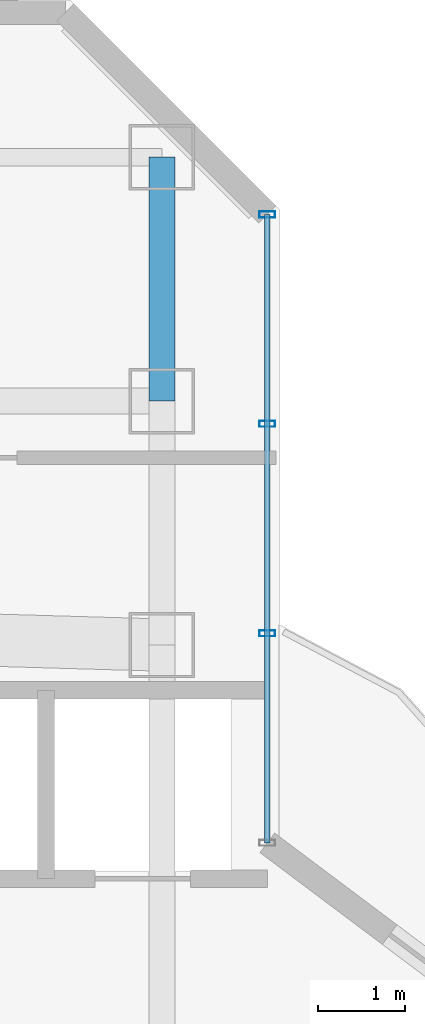
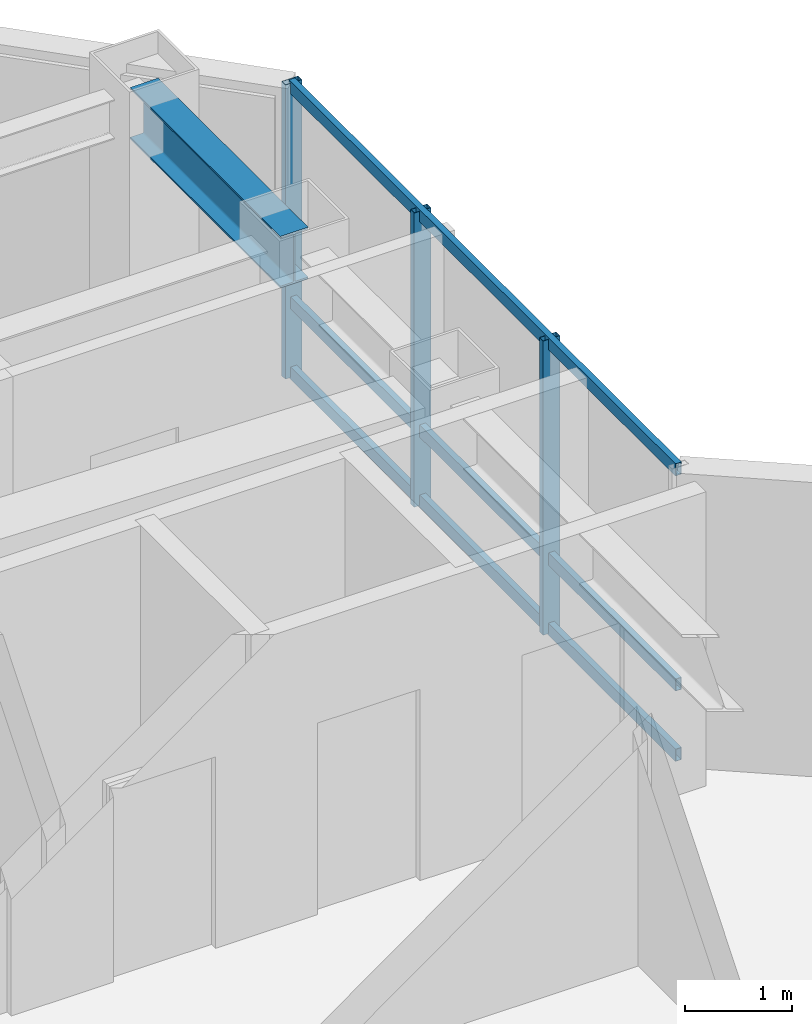
# One storey, part 17 of 26: 6 members, 1 beam, 1 element without a shape of its own.
"""IFC4 building model written with IfcOpenShell, lengths in metres."""

from ifc_helpers import new_model, si_unit, direction, frame, origin, origin_2d, place, context, subcontext, project, spatial, hollow_rectangle, i_section, extrude, material, layer, layer_set, material_profile, profile_set, type_object, element, aggregate, save


model = new_model("IFC4")

# Units and contexts
model_context = context("Model", 3, precision=1e-05, world=origin(), true_north=direction((0.0, 1.0)))
body_context = subcontext(model_context, "Body", "Model", "MODEL_VIEW")
ifc_project = project(units=[si_unit("LENGTHUNIT", "METRE"), si_unit("AREAUNIT", "SQUARE_METRE"), si_unit("VOLUMEUNIT", "CUBIC_METRE"), si_unit("PLANEANGLEUNIT", "RADIAN"), si_unit("MASSUNIT", "GRAM", prefix="KILO")], contexts=[model_context])

# Site, building, storey
site_placement = place(None, origin())
site = spatial("IfcSite", under=ifc_project, at=site_placement, CompositionType="ELEMENT")
building_placement = place(site_placement, origin())
building = spatial("IfcBuilding", under=site, at=building_placement, Name="Hatsunagi Terrace Concourse", CompositionType="ELEMENT")
storey_placement = place(building_placement, frame((0.0, 0.0, 209.550048828125)))
storey = spatial("IfcBuildingStorey", under=building, at=storey_placement, Name="L55", CompositionType="ELEMENT", Elevation=209.550048828125)

# Curtain wall, members
ifc_material_1 = material(Name="Anodised Aluminium Alloy 6063-T5", Category="aluminium")
ifc_layer = layer(ifc_material_1, 0.199951171875)
ifc_layer_set = layer_set([ifc_layer], Name="OfficeZone2_CW04")
curtain_wall_type = type_object("IfcCurtainWallType", Name="OfficeZone2_CW04", PredefinedType="NOTDEFINED", material=ifc_layer_set)
curtain_wall_placement = place(storey_placement, origin())
curtain_wall = element("IfcCurtainWall", 1, at=curtain_wall_placement, inside=storey, type_object=curtain_wall_type, Name="Unitised Curtain Wall CW-04 CW-L55-12", PredefinedType="NOTDEFINED")
ifc_material_2 = material(Name="Anodised Aluminium Alloy 6063-T5", Category="aluminium")
ifc_material_profile_1 = material_profile(ifc_material_2, hollow_rectangle(XDim=0.070068359375, YDim=0.179931640625, WallThickness=0.00390625, at=origin_2d()), Name="ALU-MUL-180x70x4")
ifc_profile_set_1 = profile_set([ifc_material_profile_1], Name="Anodised Aluminium Alloy 6063-T5")
member_type_1 = type_object("IfcMemberType", Name="CurtainWallMullion_180x70", PredefinedType="MULLION", material=ifc_profile_set_1)
member_1_placement = place(storey_placement, frame((44.860107421875, 47.94189453125, 0.0), z_axis=(0.0, 0.0, 1.0), x_axis=(0.0, -1.0, 0.0)))
member_1 = element("IfcMember", 2, at=member_1_placement, type_object=member_type_1, Name="Curtain Wall Mullion MUL-02", PredefinedType="MULLION", context=body_context, shape_type="SweptSolid", body=[
    extrude(hollow_rectangle(XDim=0.070068359375, YDim=0.179931640625, WallThickness=0.00390625, at=origin_2d()), origin(), (0.0, 0.0, 1.0), 3.349853515625),
])
member_2_placement = place(storey_placement, frame((44.860107421875, 45.5380859375, 0.0), z_axis=(0.0, 0.0, 1.0), x_axis=(0.0, -1.0, 0.0)))
member_2 = element("IfcMember", 3, at=member_2_placement, type_object=member_type_1, Name="Curtain Wall Mullion MUL-02", PredefinedType="MULLION", context=body_context, shape_type="SweptSolid", body=[
    extrude(hollow_rectangle(XDim=0.070068359375, YDim=0.179931640625, WallThickness=0.00390625, at=origin_2d()), origin(), (0.0, 0.0, 1.0), 3.349853515625),
])
member_3_placement = place(storey_placement, frame((44.860107421875, 43.134033203125, 0.0), z_axis=(0.0, 0.0, 1.0), x_axis=(0.0, -1.0, 0.0)))
member_3 = element("IfcMember", 4, at=member_3_placement, type_object=member_type_1, Name="Curtain Wall Mullion MUL-02", PredefinedType="MULLION", context=body_context, shape_type="SweptSolid", body=[
    extrude(hollow_rectangle(XDim=0.070068359375, YDim=0.179931640625, WallThickness=0.00390625, at=origin_2d()), origin(), (0.0, 0.0, 1.0), 3.349853515625),
])
ifc_material_3 = material(Name="Anodised Aluminium Alloy 6063-T5", Category="aluminium")
ifc_material_profile_2 = material_profile(ifc_material_3, hollow_rectangle(XDim=0.06494140625, YDim=0.139892578125, WallThickness=0.00390625, at=origin_2d()), Name="ALU-TRN-140x65x4")
ifc_profile_set_2 = profile_set([ifc_material_profile_2], Name="Anodised Aluminium Alloy 6063-T5")
member_type_2 = type_object("IfcMemberType", Name="CurtainWallTransom_140x65", PredefinedType="USERDEFINED", material=ifc_profile_set_2)
member_4_placement = place(storey_placement, frame((44.860107421875, 47.94189453125, 0.050048828125), z_axis=(0.0, -1.0, 0.0), x_axis=(1.0, 0.0, 0.0)))
member_4 = element("IfcMember", 5, at=member_4_placement, type_object=member_type_2, Name="Curtain Wall Transom TRN-02", ObjectType="TRANSOM", PredefinedType="USERDEFINED", context=body_context, shape_type="SweptSolid", body=[
    extrude(hollow_rectangle(XDim=0.06494140625, YDim=0.139892578125, WallThickness=0.00390625, at=origin_2d()), origin(), (0.0, 0.0, 1.0), 7.2119140625),
])
member_5_placement = place(storey_placement, frame((44.860107421875, 47.94189453125, 0.849853515625), z_axis=(0.0, -1.0, 0.0), x_axis=(1.0, 0.0, 0.0)))
member_5 = element("IfcMember", 6, at=member_5_placement, type_object=member_type_2, Name="Curtain Wall Transom TRN-02", ObjectType="TRANSOM", PredefinedType="USERDEFINED", context=body_context, shape_type="SweptSolid", body=[
    extrude(hollow_rectangle(XDim=0.06494140625, YDim=0.139892578125, WallThickness=0.00390625, at=origin_2d()), origin(), (0.0, 0.0, 1.0), 7.2119140625),
])
member_6_placement = place(storey_placement, frame((44.860107421875, 47.94189453125, 3.300048828125), z_axis=(0.0, -1.0, 0.0), x_axis=(1.0, 0.0, 0.0)))
member_6 = element("IfcMember", 7, at=member_6_placement, type_object=member_type_2, Name="Curtain Wall Transom TRN-02", ObjectType="TRANSOM", PredefinedType="USERDEFINED", context=body_context, shape_type="SweptSolid", body=[
    extrude(hollow_rectangle(XDim=0.06494140625, YDim=0.139892578125, WallThickness=0.00390625, at=origin_2d()), origin(), (0.0, 0.0, 1.0), 7.2119140625),
])
aggregate(curtain_wall, [member_1, member_2, member_3, member_4, member_5, member_6])

# Beam
ifc_material_4 = material(Name="Steel SN490B", Category="steel")
ifc_material_profile_3 = material_profile(ifc_material_4, i_section(OverallWidth=0.300048828125, OverallDepth=0.587890625, WebThickness=0.011962890625, FlangeThickness=0.02001953125, FilletRadius=0.01806640625, at=origin_2d()), Name="H-588x300x12x20")
ifc_profile_set_3 = profile_set([ifc_material_profile_3], Name="Steel SN490B")
beam_type = type_object("IfcBeamType", Name="OfficeHighGirder_H_588x300", PredefinedType="BEAM", material=ifc_profile_set_3)
beam_placement = place(storey_placement, frame((43.64990234375, 45.800048828125, 3.055908203125), z_axis=(0.0, 1.0, 0.0), x_axis=(-1.0, 0.0, 0.0)))
element("IfcBeam", 8, at=beam_placement, inside=storey, type_object=beam_type, Name="Beam G-06 BM-L55-KN-WN6", PredefinedType="BEAM", context=body_context, shape_type="SweptSolid", body=[
    extrude(i_section(OverallWidth=0.300048828125, OverallDepth=0.587890625, WebThickness=0.011962890625, FlangeThickness=0.02001953125, FilletRadius=0.01806640625, at=origin_2d()), origin(), (0.0, 0.0, 1.0), 2.800048828125),
])

save(model, "model.ifc")
